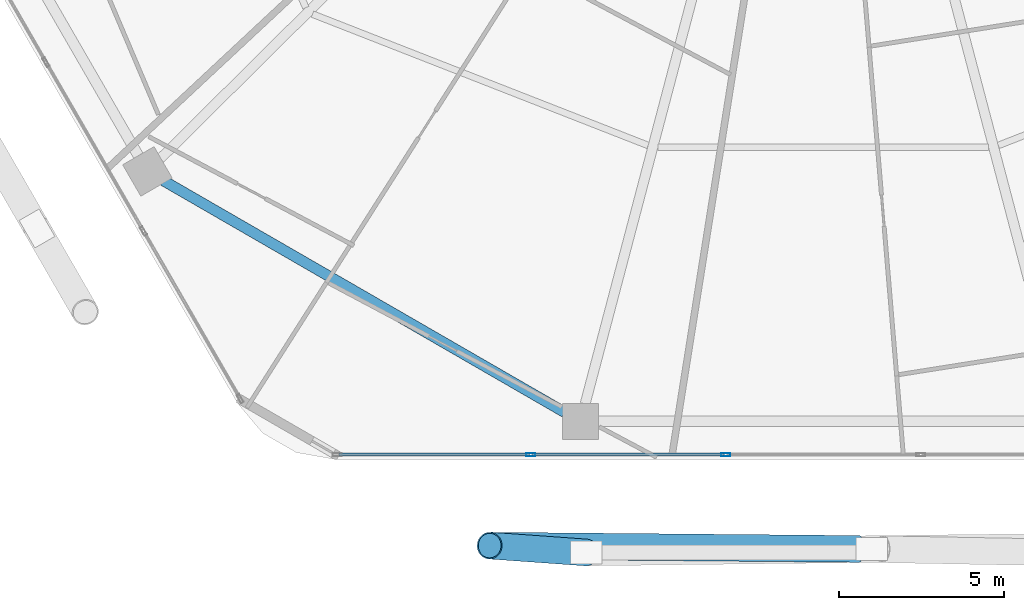
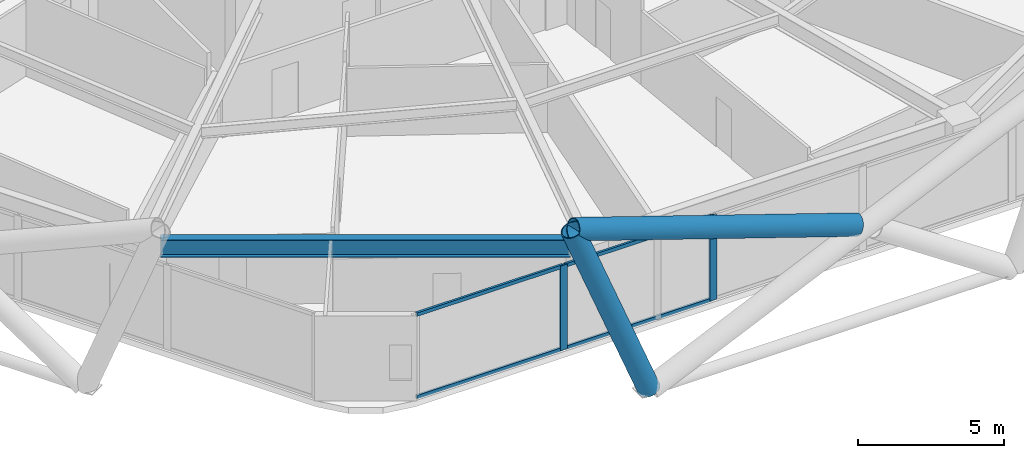
# One storey, part 3 of 34: 8 members, 1 beam, 1 element without a shape of its own.
"""IFC4 building model written with IfcOpenShell, lengths in metres."""

from ifc_helpers import new_model, si_unit, direction, frame, origin, origin_2d, place, context, subcontext, project, spatial, hollow_rectangle, hollow_circle, i_section, extrude, material, material_profile, profile_set, type_object, element, aggregate, save


model = new_model("IFC4")

# Units and contexts
model_context = context("Model", 3, precision=1e-05, world=origin(), true_north=direction((0.0, 1.0)))
body_context = subcontext(model_context, "Body", "Model", "MODEL_VIEW")
ifc_project = project(units=[si_unit("LENGTHUNIT", "METRE"), si_unit("AREAUNIT", "SQUARE_METRE"), si_unit("VOLUMEUNIT", "CUBIC_METRE"), si_unit("PLANEANGLEUNIT", "RADIAN"), si_unit("MASSUNIT", "GRAM", prefix="KILO")], contexts=[model_context])

# Site, building, storey
site_placement = place(None, origin())
site = spatial("IfcSite", under=ifc_project, at=site_placement, CompositionType="ELEMENT")
building_placement = place(site_placement, origin())
building = spatial("IfcBuilding", under=site, at=building_placement, Name="Zuhravey Tower", CompositionType="ELEMENT")
storey_placement = place(building_placement, frame((0.0, 0.0, 130.39990234375)))
storey = spatial("IfcBuildingStorey", under=building, at=storey_placement, Name="L32", CompositionType="ELEMENT", Elevation=130.39990234375)

# Curtain wall, members
ifc_material_1 = material(Name="Thermally broken anodised aluminium", Category="aluminium")
curtain_wall_type = type_object("IfcCurtainWallType", Name="Zone 1-2 Residential Curtain Wall CW3", PredefinedType="NOTDEFINED", material=ifc_material_1)
curtain_wall_placement = place(storey_placement, origin())
curtain_wall = element("IfcCurtainWall", 1, at=curtain_wall_placement, inside=storey, type_object=curtain_wall_type, Name="L32 CW3 CW-L32-F5-1", PredefinedType="NOTDEFINED")
ifc_material_2 = material(Name="Anodised aluminium", Category="aluminium")
ifc_material_profile_1 = material_profile(ifc_material_2, hollow_rectangle(XDim=0.090087890625, YDim=0.284912109375, WallThickness=0.0048828125, at=origin_2d()), Name="ALU-RHS-90x285x5")
ifc_profile_set_1 = profile_set([ifc_material_profile_1], Name="Anodised aluminium")
member_type_1 = type_object("IfcMemberType", Name="Curtain-Wall Mullion 90x180", PredefinedType="MULLION", material=ifc_profile_set_1)
member_1_placement = place(storey_placement, frame((33.0400390625, 3.04150390625, 0.0), z_axis=(0.0, 0.0, 1.0), x_axis=(0.0, -1.0, 0.0)))
member_1 = element("IfcMember", 2, at=member_1_placement, type_object=member_type_1, Name="CW3 mullion 4", PredefinedType="MULLION", context=body_context, shape_type="SweptSolid", body=[
    extrude(hollow_rectangle(XDim=0.090087890625, YDim=0.284912109375, WallThickness=0.0048828125, at=origin_2d()), origin(), (0.0, 0.0, 1.0), 3.550048828125),
])
member_2_placement = place(storey_placement, frame((27.120361328125, 3.04150390625, 0.0), z_axis=(0.0, 0.0, 1.0), x_axis=(0.0, -1.0, 0.0)))
member_2 = element("IfcMember", 3, at=member_2_placement, type_object=member_type_1, Name="CW3 mullion 5", PredefinedType="MULLION", context=body_context, shape_type="SweptSolid", body=[
    extrude(hollow_rectangle(XDim=0.090087890625, YDim=0.284912109375, WallThickness=0.0048828125, at=origin_2d()), origin(), (0.0, 0.0, 1.0), 3.550048828125),
])
ifc_material_profile_2 = material_profile(ifc_material_2, hollow_rectangle(XDim=0.090087890625, YDim=0.14990234375, WallThickness=0.0048828125, at=origin_2d()), Name="ALU-RHS-90x150x5")
ifc_profile_set_2 = profile_set([ifc_material_profile_2], Name="Anodised aluminium")
member_type_2 = type_object("IfcMemberType", Name="Curtain-Wall Transom 90x150", PredefinedType="USERDEFINED", material=ifc_profile_set_2)
member_3_placement = place(storey_placement, frame((32.9951171875, 3.04150390625, 0.045166015625), z_axis=(-1.0, 0.0, 0.0), x_axis=(0.0, -1.0, 0.0)))
member_3 = element("IfcMember", 4, at=member_3_placement, type_object=member_type_2, Name="CW3 transom 4.1", ObjectType="TRANSOM", PredefinedType="USERDEFINED", context=body_context, shape_type="SweptSolid", body=[
    extrude(hollow_rectangle(XDim=0.090087890625, YDim=0.14990234375, WallThickness=0.0048828125, at=origin_2d()), origin(), (0.0, 0.0, 1.0), 5.829833984375),
])
member_4_placement = place(storey_placement, frame((32.9951171875, 3.04150390625, 3.505126953125), z_axis=(-1.0, 0.0, 0.0), x_axis=(0.0, -1.0, 0.0)))
member_4 = element("IfcMember", 5, at=member_4_placement, type_object=member_type_2, Name="CW3 transom 4.2", ObjectType="TRANSOM", PredefinedType="USERDEFINED", context=body_context, shape_type="SweptSolid", body=[
    extrude(hollow_rectangle(XDim=0.090087890625, YDim=0.14990234375, WallThickness=0.0048828125, at=origin_2d()), origin(), (0.0, 0.0, 1.0), 5.829833984375),
])
member_5_placement = place(storey_placement, frame((27.0751953125, 3.04150390625, 0.045166015625), z_axis=(-1.0, 0.0, 0.0), x_axis=(0.0, -1.0, 0.0)))
member_5 = element("IfcMember", 6, at=member_5_placement, type_object=member_type_2, Name="CW3 transom 5.1", ObjectType="TRANSOM", PredefinedType="USERDEFINED", context=body_context, shape_type="SweptSolid", body=[
    extrude(hollow_rectangle(XDim=0.090087890625, YDim=0.14990234375, WallThickness=0.0048828125, at=origin_2d()), origin(), (0.0, 0.0, 1.0), 5.78466796875),
])
member_6_placement = place(storey_placement, frame((27.0751953125, 3.04150390625, 3.505126953125), z_axis=(-1.0, 0.0, 0.0), x_axis=(0.0, -1.0, 0.0)))
member_6 = element("IfcMember", 7, at=member_6_placement, type_object=member_type_2, Name="CW3 transom 5.2", ObjectType="TRANSOM", PredefinedType="USERDEFINED", context=body_context, shape_type="SweptSolid", body=[
    extrude(hollow_rectangle(XDim=0.090087890625, YDim=0.14990234375, WallThickness=0.0048828125, at=origin_2d()), origin(), (0.0, 0.0, 1.0), 5.78466796875),
])
aggregate(curtain_wall, [member_1, member_2, member_3, member_4, member_5, member_6])

# Members
ifc_material_3 = material(Name="Steel SM460", Category="steel")
ifc_material_profile_3 = material_profile(ifc_material_3, hollow_circle(Radius=0.406494140625, WallThickness=0.035888671875, at=origin_2d()), Name="CHS-812.8x36")
ifc_profile_set_3 = profile_set([ifc_material_profile_3], Name="Steel SM460")
member_type_3 = type_object("IfcMemberType", Name="Exoskeleton Zone 1 Diagrid CHS813x36", PredefinedType="BRACE", material=ifc_profile_set_3)
member_7_placement = place(storey_placement, frame((28.797607421875, 0.072021484375, -0.44189453125), z_axis=(-0.3609721094, 0.0257837221, 0.932220111299), x_axis=(-0.071247049988, -0.997458699831, 0.0)))
element("IfcMember", 8, at=member_7_placement, inside=storey, type_object=member_type_3, Name="L32 Face 5 Diagrid Brace 1", PredefinedType="BRACE", context=body_context, shape_type="SweptSolid", body=[
    extrude(hollow_circle(Radius=0.406494140625, WallThickness=0.035888671875, at=origin_2d()), origin(), (0.0, 0.0, 1.0), 8.105224609375),
])
member_8_placement = place(storey_placement, frame((37.0947265625, 0.179931640625, 3.45947265625), z_axis=(-0.950338396805, 0.008592083516, 0.311099835516), x_axis=(-0.00904070845, -0.99995913196, 0.0)))
element("IfcMember", 9, at=member_8_placement, inside=storey, type_object=member_type_3, Name="L32 Face 5 Split Diagrid Brace 3B", PredefinedType="BRACE", context=body_context, shape_type="SweptSolid", body=[
    extrude(hollow_circle(Radius=0.406494140625, WallThickness=0.035888671875, at=origin_2d()), origin(), (0.0, 0.0, 1.0), 11.763671875),
])

# Beam
ifc_material_4 = material(Name="Steel SM355", Category="steel")
ifc_material_profile_4 = material_profile(ifc_material_4, i_section(OverallWidth=0.320068359375, OverallDepth=0.75, WebThickness=0.013916015625, FlangeThickness=0.02490234375, at=origin_2d()), Name="H-750x320x14x25")
ifc_profile_set_4 = profile_set([ifc_material_profile_4], Name="Steel SM355")
beam_type = type_object("IfcBeamType", Name="Perimeter Ring Beam H750x320", PredefinedType="BEAM", material=ifc_profile_set_4)
beam_placement = place(storey_placement, frame((15.9599609375, 11.36669921875, 3.175048828125), z_axis=(0.866017786538, -0.500013193225, 0.0), x_axis=(0.500013193225, 0.866017786538, 0.0)))
element("IfcBeam", 10, at=beam_placement, inside=storey, type_object=beam_type, Name="L32 PB1 BM-L32-PB-08", PredefinedType="BEAM", context=body_context, shape_type="SweptSolid", body=[
    extrude(i_section(OverallWidth=0.320068359375, OverallDepth=0.75, WebThickness=0.013916015625, FlangeThickness=0.02490234375, at=origin_2d()), origin(), (0.0, 0.0, 1.0), 14.0771484375),
])

save(model, "model.ifc")
